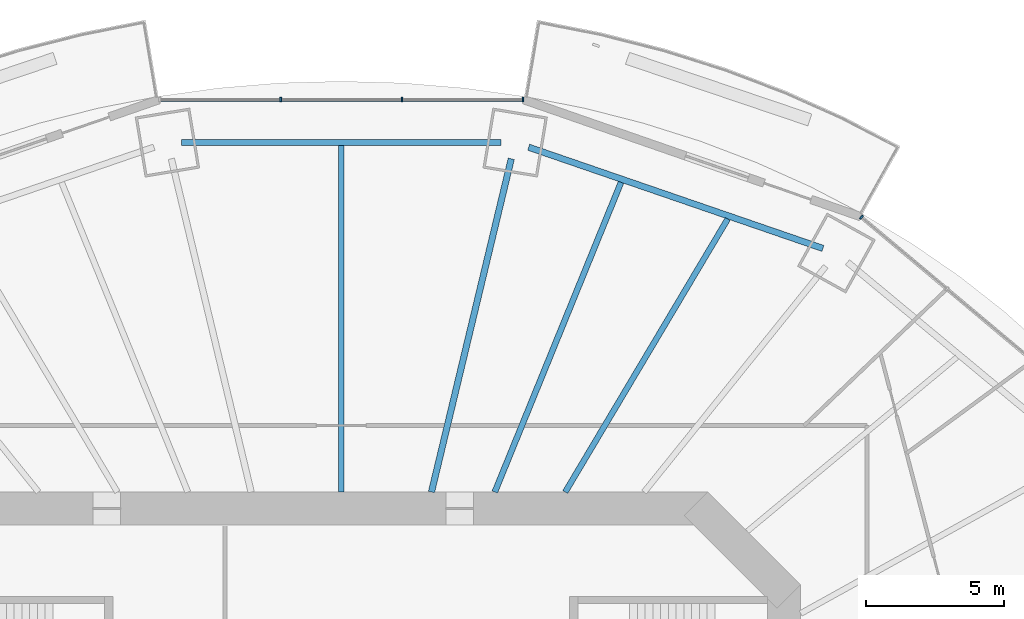
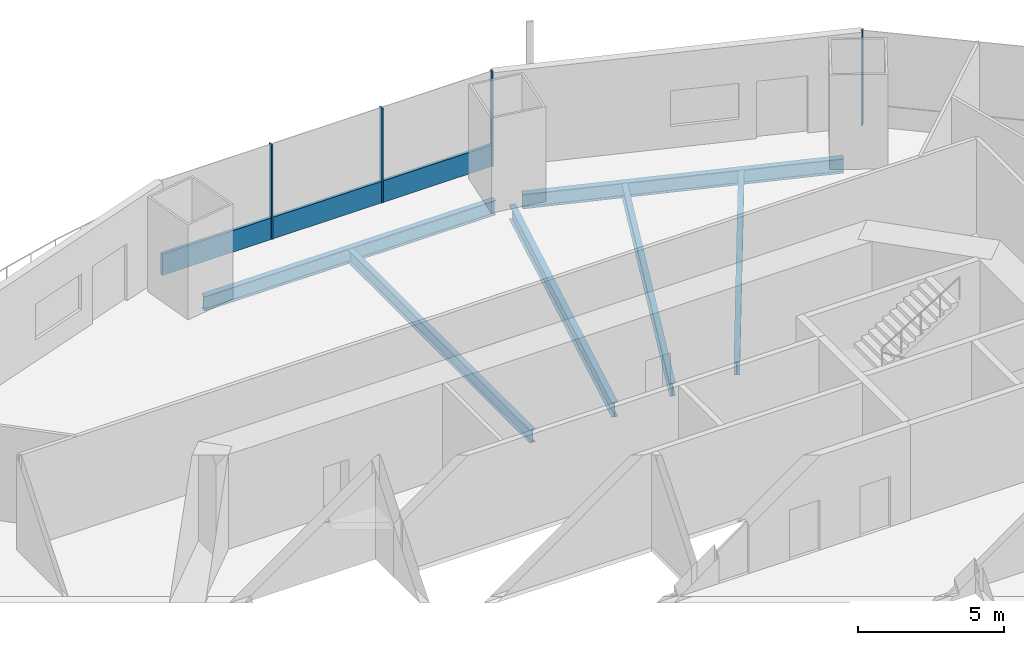
# One storey, part 9 of 21: 6 beams, 5 members, 2 elements without a shape of their own.
"""IFC4 building model written with IfcOpenShell, lengths in metres."""

from ifc_helpers import new_model, si_unit, direction, frame, origin, origin_2d, place, context, subcontext, project, spatial, rectangle, i_section, extrude, material, material_profile, profile_set, type_object, element, aggregate, save


model = new_model("IFC4")

# Units and contexts
model_context = context("Model", 3, precision=1e-05, world=origin(), true_north=direction((0.0, 1.0)))
body_context = subcontext(model_context, "Body", "Model", "MODEL_VIEW")
ifc_project = project(units=[si_unit("LENGTHUNIT", "METRE"), si_unit("AREAUNIT", "SQUARE_METRE"), si_unit("VOLUMEUNIT", "CUBIC_METRE"), si_unit("PLANEANGLEUNIT", "RADIAN"), si_unit("MASSUNIT", "GRAM", prefix="KILO")], contexts=[model_context])

# Site, building, storey
site_placement = place(None, origin())
site = spatial("IfcSite", under=ifc_project, at=site_placement, CompositionType="ELEMENT")
building_placement = place(site_placement, origin())
building = spatial("IfcBuilding", under=site, at=building_placement, Name="Marenthal Gate Tower", CompositionType="ELEMENT")
storey_placement = place(building_placement, frame((0.0, 0.0, 120.14990234375)))
storey = spatial("IfcBuildingStorey", under=building, at=storey_placement, Name="L25", CompositionType="ELEMENT", Elevation=120.14990234375)

# Curtain wall, member
ifc_material_1 = material(Name="Aluminium and glass", Category="aluminium")
curtain_wall_type = type_object("IfcCurtainWallType", Name="Curtain wall typical low", PredefinedType="NOTDEFINED", material=ifc_material_1)
curtain_wall_1_placement = place(storey_placement, origin())
curtain_wall_1 = element("IfcCurtainWall", 1, at=curtain_wall_1_placement, inside=storey, type_object=curtain_wall_type, Name="Curtain wall L25 bay 2", PredefinedType="NOTDEFINED")
ifc_material_2 = material(Name="Aluminium", Category="aluminium")
ifc_material_profile_1 = material_profile(ifc_material_2, rectangle(XDim=0.159912109375, YDim=0.06005859375, at=origin_2d()), Name="60x160 aluminium mullion")
ifc_profile_set_1 = profile_set([ifc_material_profile_1], Name="Aluminium")
member_type_1 = type_object("IfcMemberType", Name="Mullion 60x160 typical low", PredefinedType="MULLION", material=ifc_profile_set_1)
member_1_placement = place(storey_placement, frame((18.79248046875, 23.529541015625, 0.0), z_axis=(0.0, 0.0, 1.0), x_axis=(-0.642437868504, -0.766337774817, 0.0)))
member_1 = element("IfcMember", 2, at=member_1_placement, type_object=member_type_1, Name="Mullion L25 bay 2.4", PredefinedType="MULLION", context=body_context, shape_type="SweptSolid", body=[
    extrude(rectangle(XDim=0.159912109375, YDim=0.06005859375, at=origin_2d()), origin(), (0.0, 0.0, 1.0), 3.97021484375),
])
aggregate(curtain_wall_1, [member_1])

# Curtain wall, members
curtain_wall_2_placement = place(storey_placement, origin())
curtain_wall_2 = element("IfcCurtainWall", 3, at=curtain_wall_2_placement, inside=storey, type_object=curtain_wall_type, Name="Curtain wall L25 bay 4", PredefinedType="NOTDEFINED")
member_2_placement = place(storey_placement, frame((6.560791015625, 27.77783203125, 0.0), z_axis=(0.0, 0.0, 1.0), x_axis=(0.0, -1.0, 0.0)))
member_2 = element("IfcMember", 4, at=member_2_placement, type_object=member_type_1, Name="Mullion L25 bay 4.1", PredefinedType="MULLION", context=body_context, shape_type="SweptSolid", body=[
    extrude(rectangle(XDim=0.159912109375, YDim=0.06005859375, at=origin_2d()), origin(), (0.0, 0.0, 1.0), 3.97021484375),
])
member_3_placement = place(storey_placement, frame((2.18701171875, 27.77783203125, 0.0), z_axis=(0.0, 0.0, 1.0), x_axis=(0.0, -1.0, 0.0)))
member_3 = element("IfcMember", 5, at=member_3_placement, type_object=member_type_1, Name="Mullion L25 bay 4.2", PredefinedType="MULLION", context=body_context, shape_type="SweptSolid", body=[
    extrude(rectangle(XDim=0.159912109375, YDim=0.06005859375, at=origin_2d()), origin(), (0.0, 0.0, 1.0), 3.97021484375),
])
member_4_placement = place(storey_placement, frame((-2.18701171875, 27.77783203125, 0.0), z_axis=(0.0, 0.0, 1.0), x_axis=(0.0, -1.0, 0.0)))
member_4 = element("IfcMember", 6, at=member_4_placement, type_object=member_type_1, Name="Mullion L25 bay 4.3", PredefinedType="MULLION", context=body_context, shape_type="SweptSolid", body=[
    extrude(rectangle(XDim=0.159912109375, YDim=0.06005859375, at=origin_2d()), origin(), (0.0, 0.0, 1.0), 3.97021484375),
])
ifc_material_3 = material(Name="Aluminium", Category="aluminium")
ifc_material_profile_2 = material_profile(ifc_material_3, rectangle(XDim=0.1201171875, YDim=0.89990234375, at=origin_2d()), Name="120x900 aluminium transom")
ifc_profile_set_2 = profile_set([ifc_material_profile_2], Name="Aluminium")
member_type_2 = type_object("IfcMemberType", Name="Transom 120x900 typical low", PredefinedType="USERDEFINED", material=ifc_profile_set_2)
member_5_placement = place(storey_placement, frame((6.531005859375, 27.77783203125, 0.4501953125), z_axis=(-1.0, 0.0, 0.0), x_axis=(0.0, -1.0, 0.0)))
member_5 = element("IfcMember", 7, at=member_5_placement, type_object=member_type_2, Name="Transom L25 bay 4", ObjectType="TRANSOM", PredefinedType="USERDEFINED", context=body_context, shape_type="SweptSolid", body=[
    extrude(rectangle(XDim=0.1201171875, YDim=0.89990234375, at=origin_2d()), origin(), (0.0, 0.0, 1.0), 13.06201171875),
])
aggregate(curtain_wall_2, [member_2, member_3, member_4, member_5])

# Beams
ifc_material_4 = material(Name="Steel S355", Category="steel")
ifc_material_profile_3 = material_profile(ifc_material_4, i_section(OverallWidth=0.2099609375, OverallDepth=0.535888671875, WebThickness=0.010986328125, FlangeThickness=0.017333984375, FilletRadius=0.0126953125, at=origin_2d()), Name="W530X101")
ifc_profile_set_3 = profile_set([ifc_material_profile_3], Name="Steel S355")
beam_type_1 = type_object("IfcBeamType", Name="W530X101 beam", PredefinedType="BEAM", material=ifc_profile_set_3)
beam_1_placement = place(storey_placement, frame((13.962158203125, 23.4658203125, -0.447998046875), z_axis=(-0.51133355271, -0.859382335095, 0.0), x_axis=(0.859382335095, -0.51133355271, 0.0)))
element("IfcBeam", 8, at=beam_1_placement, inside=storey, type_object=beam_type_1, Name="BM-L25-20", PredefinedType="BEAM", context=body_context, shape_type="SweptSolid", body=[
    extrude(i_section(OverallWidth=0.2099609375, OverallDepth=0.535888671875, WebThickness=0.010986328125, FlangeThickness=0.017333984375, FilletRadius=0.0126953125, at=origin_2d()), origin(), (0.0, 0.0, 1.0), 11.47998046875),
])
ifc_material_5 = material(Name="Steel S355", Category="steel")
ifc_material_profile_4 = material_profile(ifc_material_5, i_section(OverallWidth=0.2119140625, OverallDepth=0.5439453125, WebThickness=0.01318359375, FlangeThickness=0.021240234375, FilletRadius=0.0126953125, at=origin_2d()), Name="W530X123")
ifc_profile_set_4 = profile_set([ifc_material_profile_4], Name="Steel S355")
beam_type_2 = type_object("IfcBeamType", Name="W530X123 beam", PredefinedType="BEAM", material=ifc_profile_set_4)
beam_2_placement = place(storey_placement, frame((10.10888671875, 24.791015625, -0.451904296875), z_axis=(-0.377578568114, -0.92597755097, 0.0), x_axis=(0.92597755097, -0.377578568114, 0.0)))
element("IfcBeam", 9, at=beam_2_placement, inside=storey, type_object=beam_type_2, Name="BM-L25-21", PredefinedType="BEAM", context=body_context, shape_type="SweptSolid", body=[
    extrude(i_section(OverallWidth=0.2119140625, OverallDepth=0.5439453125, WebThickness=0.01318359375, FlangeThickness=0.021240234375, FilletRadius=0.0126953125, at=origin_2d()), origin(), (0.0, 0.0, 1.0), 12.08544921875),
])
beam_3_placement = place(storey_placement, frame((0.0, 26.11376953125, -0.451904296875), z_axis=(0.0, -1.0, 0.0), x_axis=(1.0, 0.0, 0.0)))
element("IfcBeam", 10, at=beam_3_placement, inside=storey, type_object=beam_type_2, Name="BM-L25-22", PredefinedType="BEAM", context=body_context, shape_type="SweptSolid", body=[
    extrude(i_section(OverallWidth=0.2119140625, OverallDepth=0.5439453125, WebThickness=0.01318359375, FlangeThickness=0.021240234375, FilletRadius=0.0126953125, at=origin_2d()), origin(), (0.0, 0.0, 1.0), 12.513671875),
])
ifc_material_6 = material(Name="Steel S355", Category="steel")
ifc_material_profile_5 = material_profile(ifc_material_6, i_section(OverallWidth=0.22900390625, OverallDepth=0.612060546875, WebThickness=0.011962890625, FlangeThickness=0.01953125, FilletRadius=0.0126953125, at=origin_2d()), Name="W610X125")
ifc_profile_set_5 = profile_set([ifc_material_profile_5], Name="Steel S355")
beam_type_3 = type_object("IfcBeamType", Name="W610X125 beam", PredefinedType="BEAM", material=ifc_profile_set_5)
beam_4_placement = place(storey_placement, frame((6.142333984375, 25.641845703125, -0.48583984375), z_axis=(-0.232953092767, -0.972487972455, 0.0), x_axis=(0.972487972455, -0.232953092767, 0.0)))
element("IfcBeam", 11, at=beam_4_placement, inside=storey, type_object=beam_type_3, Name="BM-L25-04", PredefinedType="BEAM", context=body_context, shape_type="SweptSolid", body=[
    extrude(i_section(OverallWidth=0.22900390625, OverallDepth=0.612060546875, WebThickness=0.011962890625, FlangeThickness=0.01953125, FilletRadius=0.0126953125, at=origin_2d()), origin(), (0.0, 0.0, 1.0), 12.38232421875),
])
beam_5_placement = place(storey_placement, frame((17.404052734375, 22.40283203125, -0.48583984375), z_axis=(-0.945627146872, 0.325252669626, 0.0), x_axis=(-0.325252669626, -0.945627146872, 0.0)))
element("IfcBeam", 12, at=beam_5_placement, inside=storey, type_object=beam_type_3, Name="BM-L25-43", PredefinedType="BEAM", context=body_context, shape_type="SweptSolid", body=[
    extrude(i_section(OverallWidth=0.22900390625, OverallDepth=0.612060546875, WebThickness=0.011962890625, FlangeThickness=0.01953125, FilletRadius=0.0126953125, at=origin_2d()), origin(), (0.0, 0.0, 1.0), 11.24658203125),
])
beam_6_placement = place(storey_placement, frame((5.769287109375, 26.228271484375, -0.48583984375), z_axis=(-1.0, 0.0, 0.0), x_axis=(0.0, -1.0, 0.0)))
element("IfcBeam", 13, at=beam_6_placement, inside=storey, type_object=beam_type_3, Name="BM-L25-44", PredefinedType="BEAM", context=body_context, shape_type="SweptSolid", body=[
    extrude(i_section(OverallWidth=0.22900390625, OverallDepth=0.612060546875, WebThickness=0.011962890625, FlangeThickness=0.01953125, FilletRadius=0.0126953125, at=origin_2d()), origin(), (0.0, 0.0, 1.0), 11.53857421875),
])

save(model, "model.ifc")
